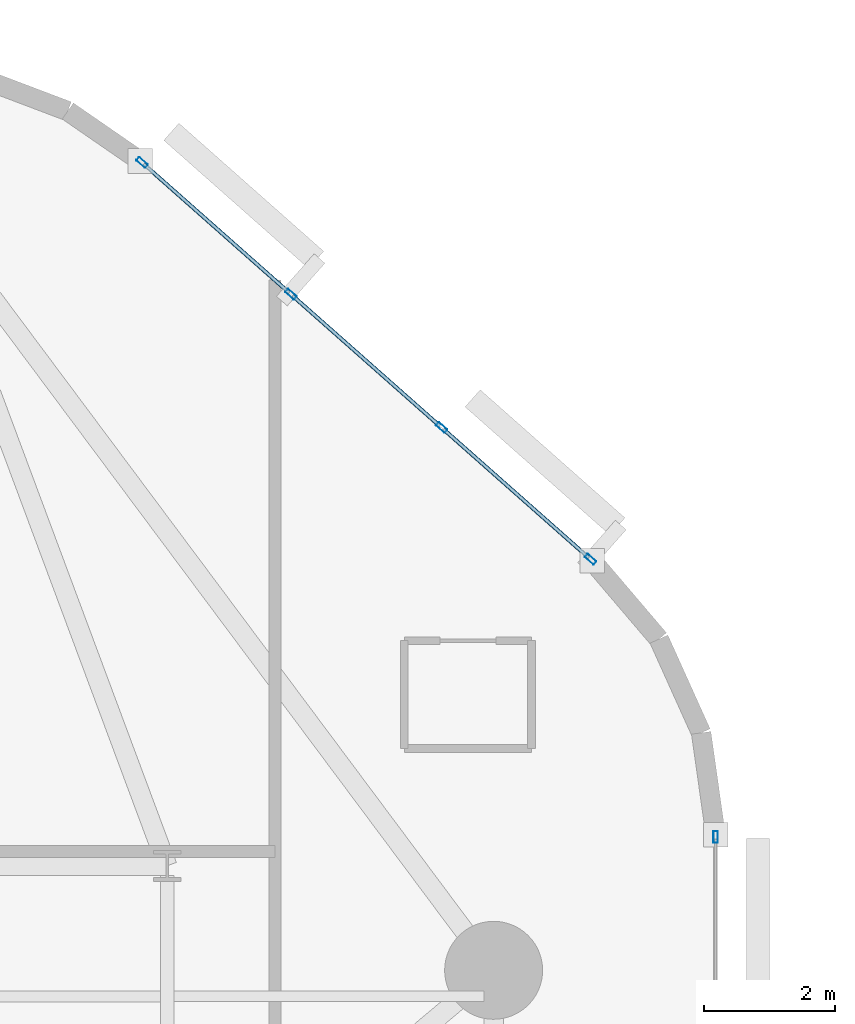
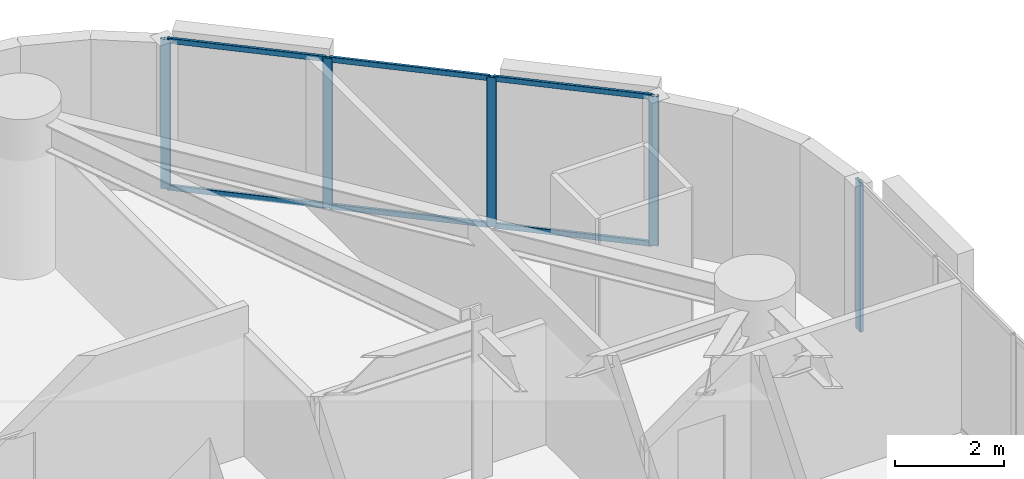
# One storey, part 8 of 16: 11 members, 2 elements without a shape of their own.
"""IFC4 building model written with IfcOpenShell, lengths in metres."""

from ifc_helpers import new_model, si_unit, direction, frame, origin, origin_2d, place, context, subcontext, project, spatial, hollow_rectangle, extrude, material, layer, layer_set, material_profile, profile_set, type_object, element, aggregate, save


model = new_model("IFC4")

# Units and contexts
model_context = context("Model", 3, precision=1e-05, world=origin(), true_north=direction((0.0, 1.0)))
body_context = subcontext(model_context, "Body", "Model", "MODEL_VIEW")
ifc_project = project(units=[si_unit("LENGTHUNIT", "METRE"), si_unit("AREAUNIT", "SQUARE_METRE"), si_unit("VOLUMEUNIT", "CUBIC_METRE"), si_unit("PLANEANGLEUNIT", "RADIAN"), si_unit("MASSUNIT", "GRAM", prefix="KILO")], contexts=[model_context])

# Site, building, storey
site_placement = place(None, origin())
site = spatial("IfcSite", under=ifc_project, at=site_placement, CompositionType="ELEMENT")
building_placement = place(site_placement, origin())
building = spatial("IfcBuilding", under=site, at=building_placement, Name="An Khanh Terracotta Commons", CompositionType="ELEMENT")
storey_placement = place(building_placement, frame((0.0, 0.0, 72.0)))
storey = spatial("IfcBuildingStorey", under=building, at=storey_placement, Name="L19", CompositionType="ELEMENT", Elevation=72.0)

# Curtain wall, member
ifc_material = material(Name="Anodised Aluminium 6063-T6", Category="aluminium")
ifc_layer = layer(ifc_material, 0.199951171875, Name="Anodised Aluminium 6063-T6")
ifc_layer_set = layer_set([ifc_layer], Name="Anodised Aluminium 6063-T6")
curtain_wall_type = type_object("IfcCurtainWallType", Name="CW-SYS-02", PredefinedType="USERDEFINED", material=ifc_layer_set)
curtain_wall_1_placement = place(storey_placement, origin())
curtain_wall_1 = element("IfcCurtainWall", 1, at=curtain_wall_1_placement, inside=storey, type_object=curtain_wall_type, Name="L19 CW-02 Unitised Curtain Wall CW-L19-12", ObjectType="UNITISED CURTAIN WALL", PredefinedType="USERDEFINED")
ifc_material_profile_1 = material_profile(ifc_material, hollow_rectangle(XDim=0.070068359375, YDim=0.179931640625, WallThickness=0.00390625, InnerFilletRadius=0.00390625, OuterFilletRadius=0.008056640625, at=origin_2d()), Name="RHS180x70x4")
ifc_profile_set_1 = profile_set([ifc_material_profile_1], Name="Anodised Aluminium 6063-T6")
member_type_1 = type_object("IfcMemberType", Name="CWM-RHS180x70x4", PredefinedType="MULLION", material=ifc_profile_set_1)
member_1_placement = place(storey_placement, frame((51.60009765625, 34.0419921875, 0.0), z_axis=(0.0, 0.0, 1.0), x_axis=(-1.0, 0.0, 0.0)))
member_1 = element("IfcMember", 2, at=member_1_placement, type_object=member_type_1, Name="CW-02 mullion 8", PredefinedType="MULLION", context=body_context, shape_type="SweptSolid", body=[
    extrude(hollow_rectangle(XDim=0.070068359375, YDim=0.179931640625, WallThickness=0.00390625, InnerFilletRadius=0.00390625, OuterFilletRadius=0.008056640625, at=origin_2d()), origin(), (0.0, 0.0, 1.0), 3.360107421875),
])
aggregate(curtain_wall_1, [member_1])

# Curtain wall, members
curtain_wall_2_placement = place(storey_placement, origin())
curtain_wall_2 = element("IfcCurtainWall", 3, at=curtain_wall_2_placement, inside=storey, type_object=curtain_wall_type, Name="L19 CW-02 Unitised Curtain Wall CW-L19-16", ObjectType="UNITISED CURTAIN WALL", PredefinedType="USERDEFINED")
member_2_placement = place(storey_placement, frame((49.683837890625, 38.295166015625, 0.0), z_axis=(0.0, 0.0, 1.0), x_axis=(-0.662548195415, -0.749019284633, 0.0)))
member_2 = element("IfcMember", 4, at=member_2_placement, type_object=member_type_1, Name="CW-02 mullion 1", PredefinedType="MULLION", context=body_context, shape_type="SweptSolid", body=[
    extrude(hollow_rectangle(XDim=0.070068359375, YDim=0.179931640625, WallThickness=0.00390625, InnerFilletRadius=0.00390625, OuterFilletRadius=0.008056640625, at=origin_2d()), origin(), (0.0, 0.0, 1.0), 3.360107421875),
])
member_3_placement = place(storey_placement, frame((47.403076171875, 40.312744140625, 0.0), z_axis=(0.0, 0.0, 1.0), x_axis=(-0.662548195415, -0.749019284633, 0.0)))
member_3 = element("IfcMember", 5, at=member_3_placement, type_object=member_type_1, Name="CW-02 mullion 2", PredefinedType="MULLION", context=body_context, shape_type="SweptSolid", body=[
    extrude(hollow_rectangle(XDim=0.070068359375, YDim=0.179931640625, WallThickness=0.00390625, InnerFilletRadius=0.00390625, OuterFilletRadius=0.008056640625, at=origin_2d()), origin(), (0.0, 0.0, 1.0), 3.360107421875),
])
member_4_placement = place(storey_placement, frame((45.095947265625, 42.353271484375, 0.0), z_axis=(0.0, 0.0, 1.0), x_axis=(-0.662548195415, -0.749019284633, 0.0)))
member_4 = element("IfcMember", 6, at=member_4_placement, type_object=member_type_1, Name="CW-02 mullion 3", PredefinedType="MULLION", context=body_context, shape_type="SweptSolid", body=[
    extrude(hollow_rectangle(XDim=0.070068359375, YDim=0.179931640625, WallThickness=0.00390625, InnerFilletRadius=0.00390625, OuterFilletRadius=0.008056640625, at=origin_2d()), origin(), (0.0, 0.0, 1.0), 3.360107421875),
])
member_5_placement = place(storey_placement, frame((42.815185546875, 44.370849609375, 0.0), z_axis=(0.0, 0.0, 1.0), x_axis=(-0.662548195415, -0.749019284633, 0.0)))
member_5 = element("IfcMember", 7, at=member_5_placement, type_object=member_type_1, Name="CW-02 mullion 4", PredefinedType="MULLION", context=body_context, shape_type="SweptSolid", body=[
    extrude(hollow_rectangle(XDim=0.070068359375, YDim=0.179931640625, WallThickness=0.00390625, InnerFilletRadius=0.00390625, OuterFilletRadius=0.008056640625, at=origin_2d()), origin(), (0.0, 0.0, 1.0), 3.360107421875),
])
ifc_material_profile_2 = material_profile(ifc_material, hollow_rectangle(XDim=0.06005859375, YDim=0.1201171875, WallThickness=0.003662109375, InnerFilletRadius=0.003662109375, OuterFilletRadius=0.007080078125, at=origin_2d()), Name="RHS120x60x3.6")
ifc_profile_set_2 = profile_set([ifc_material_profile_2], Name="Anodised Aluminium 6063-T6")
member_type_2 = type_object("IfcMemberType", Name="CWT-RHS120x60x3.6", PredefinedType="USERDEFINED", material=ifc_profile_set_2)
member_6_placement = place(storey_placement, frame((49.657470703125, 38.318359375, 0.030029296875), z_axis=(-0.74899186341, 0.662579194168, 0.0), x_axis=(-0.662579194168, -0.74899186341, 0.0)))
member_6 = element("IfcMember", 8, at=member_6_placement, type_object=member_type_2, Name="CW-02 transom 1.1", ObjectType="TRANSOM", PredefinedType="USERDEFINED", context=body_context, shape_type="SweptSolid", body=[
    extrude(hollow_rectangle(XDim=0.06005859375, YDim=0.1201171875, WallThickness=0.003662109375, InnerFilletRadius=0.003662109375, OuterFilletRadius=0.007080078125, at=origin_2d()), origin(), (0.0, 0.0, 1.0), 2.97509765625),
])
member_7_placement = place(storey_placement, frame((49.657470703125, 38.318359375, 3.330078125), z_axis=(-0.74899186341, 0.662579194168, 0.0), x_axis=(-0.662579194168, -0.74899186341, 0.0)))
member_7 = element("IfcMember", 9, at=member_7_placement, type_object=member_type_2, Name="CW-02 transom 1.2", ObjectType="TRANSOM", PredefinedType="USERDEFINED", context=body_context, shape_type="SweptSolid", body=[
    extrude(hollow_rectangle(XDim=0.06005859375, YDim=0.1201171875, WallThickness=0.003662109375, InnerFilletRadius=0.003662109375, OuterFilletRadius=0.007080078125, at=origin_2d()), origin(), (0.0, 0.0, 1.0), 2.97509765625),
])
member_8_placement = place(storey_placement, frame((47.376708984375, 40.3359375, 0.030029296875), z_axis=(-0.749018237701, 0.662549378984, 0.0), x_axis=(-0.662549378984, -0.749018237701, 0.0)))
member_8 = element("IfcMember", 10, at=member_8_placement, type_object=member_type_2, Name="CW-02 transom 2.1", ObjectType="TRANSOM", PredefinedType="USERDEFINED", context=body_context, shape_type="SweptSolid", body=[
    extrude(hollow_rectangle(XDim=0.06005859375, YDim=0.1201171875, WallThickness=0.003662109375, InnerFilletRadius=0.003662109375, OuterFilletRadius=0.007080078125, at=origin_2d()), origin(), (0.0, 0.0, 1.0), 3.009765625),
])
member_9_placement = place(storey_placement, frame((47.376708984375, 40.3359375, 3.330078125), z_axis=(-0.749018237701, 0.662549378984, 0.0), x_axis=(-0.662549378984, -0.749018237701, 0.0)))
member_9 = element("IfcMember", 11, at=member_9_placement, type_object=member_type_2, Name="CW-02 transom 2.2", ObjectType="TRANSOM", PredefinedType="USERDEFINED", context=body_context, shape_type="SweptSolid", body=[
    extrude(hollow_rectangle(XDim=0.06005859375, YDim=0.1201171875, WallThickness=0.003662109375, InnerFilletRadius=0.003662109375, OuterFilletRadius=0.007080078125, at=origin_2d()), origin(), (0.0, 0.0, 1.0), 3.009765625),
])
member_10_placement = place(storey_placement, frame((45.06982421875, 42.37646484375, 0.030029296875), z_axis=(-0.74899186341, 0.662579194168, 0.0), x_axis=(-0.662579194168, -0.74899186341, 0.0)))
member_10 = element("IfcMember", 12, at=member_10_placement, type_object=member_type_2, Name="CW-02 transom 3.1", ObjectType="TRANSOM", PredefinedType="USERDEFINED", context=body_context, shape_type="SweptSolid", body=[
    extrude(hollow_rectangle(XDim=0.06005859375, YDim=0.1201171875, WallThickness=0.003662109375, InnerFilletRadius=0.003662109375, OuterFilletRadius=0.007080078125, at=origin_2d()), origin(), (0.0, 0.0, 1.0), 2.97509765625),
])
member_11_placement = place(storey_placement, frame((45.06982421875, 42.37646484375, 3.330078125), z_axis=(-0.74899186341, 0.662579194168, 0.0), x_axis=(-0.662579194168, -0.74899186341, 0.0)))
member_11 = element("IfcMember", 13, at=member_11_placement, type_object=member_type_2, Name="CW-02 transom 3.2", ObjectType="TRANSOM", PredefinedType="USERDEFINED", context=body_context, shape_type="SweptSolid", body=[
    extrude(hollow_rectangle(XDim=0.06005859375, YDim=0.1201171875, WallThickness=0.003662109375, InnerFilletRadius=0.003662109375, OuterFilletRadius=0.007080078125, at=origin_2d()), origin(), (0.0, 0.0, 1.0), 2.97509765625),
])
aggregate(curtain_wall_2, [member_2, member_3, member_4, member_5, member_6, member_7, member_8, member_9, member_10, member_11])

save(model, "model.ifc")
